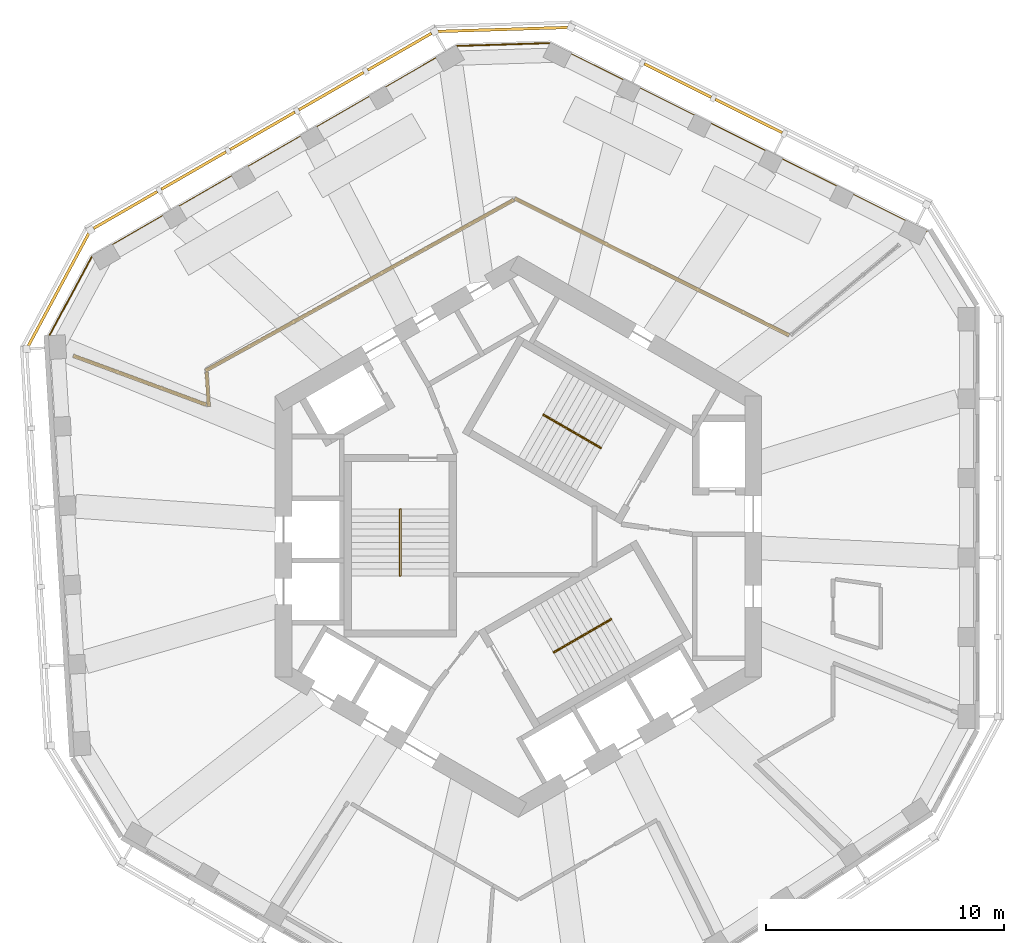
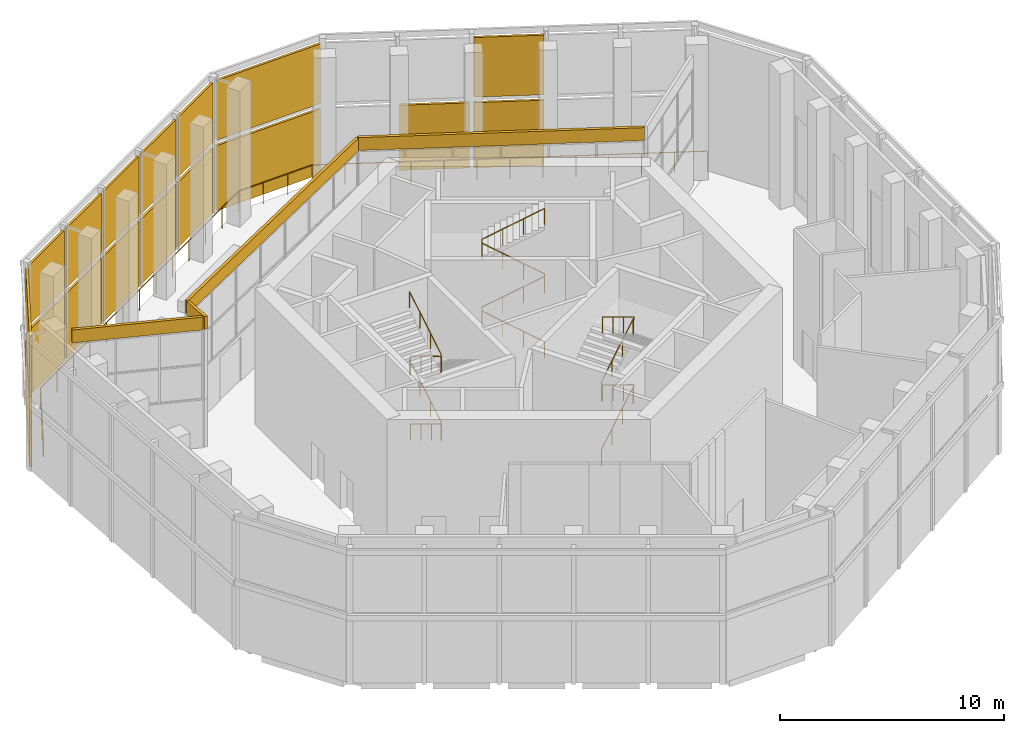
# One storey, part 14 of 16: 17 shading devices, 4 coverings, 4 railings.
"""IFC4 building model written with IfcOpenShell, lengths in metres."""

from ifc_helpers import new_model, si_unit, direction, frame, origin, origin_2d, place, context, subcontext, project, spatial, rectangle, circle, extrude, material, layer, layer_set, type_object, element, save


model = new_model("IFC4")

# Units and contexts
model_context = context("Model", 3, precision=1e-05, world=origin(), true_north=direction((0.0, 1.0)))
body_context = subcontext(model_context, "Body", "Model", "MODEL_VIEW")
ifc_project = project(units=[si_unit("LENGTHUNIT", "METRE"), si_unit("AREAUNIT", "SQUARE_METRE"), si_unit("VOLUMEUNIT", "CUBIC_METRE"), si_unit("PLANEANGLEUNIT", "RADIAN"), si_unit("MASSUNIT", "GRAM", prefix="KILO")], contexts=[model_context])

# Site, building, storey
site_placement = place(None, origin())
site = spatial("IfcSite", under=ifc_project, at=site_placement, CompositionType="ELEMENT")
building_placement = place(site_placement, origin())
building = spatial("IfcBuilding", under=site, at=building_placement, Name="Vanh Sen Convention Tower", CompositionType="ELEMENT")
storey_placement = place(building_placement, frame((0.0, 0.0, 278.300048828125)))
storey = spatial("IfcBuildingStorey", under=building, at=storey_placement, Name="L69", CompositionType="ELEMENT", Elevation=278.300048828125)

# Railings
ifc_material_1 = material(Name="Stainless steel posts with toughened glass infill", Category="steel")
railing_type_1 = type_object("IfcRailingType", Name="Garden guard 1150", PredefinedType="GUARDRAIL", material=ifc_material_1)
railing_1_placement = place(storey_placement, frame((17.123779296875, 12.8046875, 0.0)))
element("IfcRailing", 1, at=railing_1_placement, inside=storey, type_object=railing_type_1, Name="Sky garden guard 1 L69", PredefinedType="GUARDRAIL", context=body_context, shape_type="SweptSolid", body=[
    extrude(circle(Radius=0.02392578125, at=origin_2d()), frame((0.0, 0.0, 1.1259765625), z_axis=(-0.894931942671, 0.446202664701, 0.0), x_axis=(-0.446202664701, -0.894931942671, 0.0)), (0.0, 0.0, 1.0), 17.682861328125),
    extrude(circle(Radius=0.02392578125, at=origin_2d()), frame((-15.824951171875, 7.89013671875, 1.1259765625), z_axis=(-0.999533371563, -0.030545689242, 0.0), x_axis=(0.030545689242, -0.999533371563, 0.0)), (0.0, 0.0, 1.0), 3.8603515625),
    extrude(circle(Radius=0.02392578125, at=origin_2d()), frame((-19.68359375, 7.772216796875, 1.1259765625), z_axis=(-0.866027367995, -0.499996597872, 0.0), x_axis=(0.499996597872, -0.866027367995, 0.0)), (0.0, 0.0, 1.0), 17.70458984375),
    extrude(circle(Radius=0.02392578125, at=origin_2d()), frame((-35.016357421875, -1.080078125, 1.1259765625), z_axis=(-0.473336132366, -0.880881890946, 0.0), x_axis=(0.880881890946, -0.473336132366, 0.0)), (0.0, 0.0, 1.0), 3.71826171875),
    extrude(circle(Radius=0.02392578125, at=origin_2d()), frame((-36.7763671875, -4.35546875, 1.1259765625), z_axis=(0.066519010524, -0.997785157857, 0.0), x_axis=(0.997785157857, 0.066519010524, 0.0)), (0.0, 0.0, 1.0), 0.02197265625),
    extrude(circle(Radius=0.02099609375, at=origin_2d()), origin(), (0.0, 0.0, 1.0), 1.101806640625),
    extrude(circle(Radius=0.02099609375, at=origin_2d()), frame((-1.31884765625, 0.657470703125, 0.0)), (0.0, 0.0, 1.0), 1.101806640625),
    extrude(circle(Radius=0.02099609375, at=origin_2d()), frame((-2.637451171875, 1.31494140625, 0.0)), (0.0, 0.0, 1.0), 1.101806640625),
    extrude(circle(Radius=0.02099609375, at=origin_2d()), frame((-3.956298828125, 1.97265625, 0.0)), (0.0, 0.0, 1.0), 1.101806640625),
    extrude(circle(Radius=0.02099609375, at=origin_2d()), frame((-5.27490234375, 2.630126953125, 0.0)), (0.0, 0.0, 1.0), 1.101806640625),
    extrude(circle(Radius=0.02099609375, at=origin_2d()), frame((-6.59375, 3.28759765625, 0.0)), (0.0, 0.0, 1.0), 1.101806640625),
    extrude(circle(Radius=0.02099609375, at=origin_2d()), frame((-7.91259765625, 3.945068359375, 0.0)), (0.0, 0.0, 1.0), 1.101806640625),
    extrude(circle(Radius=0.02099609375, at=origin_2d()), frame((-9.231201171875, 4.6025390625, 0.0)), (0.0, 0.0, 1.0), 1.101806640625),
    extrude(circle(Radius=0.02099609375, at=origin_2d()), frame((-10.550048828125, 5.260009765625, 0.0)), (0.0, 0.0, 1.0), 1.101806640625),
    extrude(circle(Radius=0.02099609375, at=origin_2d()), frame((-11.86865234375, 5.91748046875, 0.0)), (0.0, 0.0, 1.0), 1.101806640625),
    extrude(circle(Radius=0.02099609375, at=origin_2d()), frame((-13.1875, 6.5751953125, 0.0)), (0.0, 0.0, 1.0), 1.101806640625),
    extrude(circle(Radius=0.02099609375, at=origin_2d()), frame((-14.506103515625, 7.232666015625, 0.0)), (0.0, 0.0, 1.0), 1.101806640625),
    extrude(circle(Radius=0.02099609375, at=origin_2d()), frame((-15.824951171875, 7.89013671875, 0.0)), (0.0, 0.0, 1.0), 1.101806640625),
    extrude(circle(Radius=0.02099609375, at=origin_2d()), frame((-17.111083984375, 7.850830078125, 0.0)), (0.0, 0.0, 1.0), 1.101806640625),
    extrude(circle(Radius=0.02099609375, at=origin_2d()), frame((-18.3974609375, 7.8115234375, 0.0)), (0.0, 0.0, 1.0), 1.101806640625),
    extrude(circle(Radius=0.02099609375, at=origin_2d()), frame((-19.68359375, 7.772216796875, 0.0)), (0.0, 0.0, 1.0), 1.101806640625),
    extrude(circle(Radius=0.02099609375, at=origin_2d()), frame((-20.96142578125, 7.034423828125, 0.0)), (0.0, 0.0, 1.0), 1.101806640625),
    extrude(circle(Radius=0.02099609375, at=origin_2d()), frame((-22.239013671875, 6.296875, 0.0)), (0.0, 0.0, 1.0), 1.101806640625),
    extrude(circle(Radius=0.02099609375, at=origin_2d()), frame((-23.516845703125, 5.55908203125, 0.0)), (0.0, 0.0, 1.0), 1.101806640625),
    extrude(circle(Radius=0.02099609375, at=origin_2d()), frame((-24.79443359375, 4.821533203125, 0.0)), (0.0, 0.0, 1.0), 1.101806640625),
    extrude(circle(Radius=0.02099609375, at=origin_2d()), frame((-26.072265625, 4.083740234375, 0.0)), (0.0, 0.0, 1.0), 1.101806640625),
    extrude(circle(Radius=0.02099609375, at=origin_2d()), frame((-27.35009765625, 3.34619140625, 0.0)), (0.0, 0.0, 1.0), 1.101806640625),
    extrude(circle(Radius=0.02099609375, at=origin_2d()), frame((-28.627685546875, 2.6083984375, 0.0)), (0.0, 0.0, 1.0), 1.101806640625),
    extrude(circle(Radius=0.02099609375, at=origin_2d()), frame((-29.905517578125, 1.87060546875, 0.0)), (0.0, 0.0, 1.0), 1.101806640625),
    extrude(circle(Radius=0.02099609375, at=origin_2d()), frame((-31.18310546875, 1.133056640625, 0.0)), (0.0, 0.0, 1.0), 1.101806640625),
    extrude(circle(Radius=0.02099609375, at=origin_2d()), frame((-32.4609375, 0.395263671875, 0.0)), (0.0, 0.0, 1.0), 1.101806640625),
    extrude(circle(Radius=0.02099609375, at=origin_2d()), frame((-33.738525390625, -0.34228515625, 0.0)), (0.0, 0.0, 1.0), 1.101806640625),
    extrude(circle(Radius=0.02099609375, at=origin_2d()), frame((-35.016357421875, -1.080078125, 0.0)), (0.0, 0.0, 1.0), 1.101806640625),
    extrude(circle(Radius=0.02099609375, at=origin_2d()), frame((-35.60302734375, -2.171875, 0.0)), (0.0, 0.0, 1.0), 1.101806640625),
    extrude(circle(Radius=0.02099609375, at=origin_2d()), frame((-36.189697265625, -3.263671875, 0.0)), (0.0, 0.0, 1.0), 1.101806640625),
    extrude(circle(Radius=0.02099609375, at=origin_2d()), frame((-36.7763671875, -4.35546875, 0.0)), (0.0, 0.0, 1.0), 1.101806640625),
    extrude(circle(Radius=0.02099609375, at=origin_2d()), frame((-36.77490234375, -4.37744140625, 0.0)), (0.0, 0.0, 1.0), 1.101806640625),
])
ifc_material_2 = material(Name="Stainless steel handrail", Category="steel")
railing_type_2 = type_object("IfcRailingType", Name="Stair handrail 900", PredefinedType="HANDRAIL", material=ifc_material_2)
railing_2_placement = place(storey_placement, frame((3.45849609375, 3.690185546875, 0.168212890625)))
element("IfcRailing", 2, at=railing_2_placement, inside=storey, type_object=railing_type_2, Name="Stair handrail ST1 L69", PredefinedType="HANDRAIL", context=body_context, shape_type="SweptSolid", body=[
    extrude(circle(Radius=0.02392578125, at=origin_2d()), frame((0.0, 0.0, 0.8759765625), z_axis=(-0.74241905619, 0.428617687091, 0.514879426), x_axis=(-0.49998411664, -0.866034573852, 0.0)), (0.0, 0.0, 1.0), 3.26611328125),
    extrude(circle(Radius=0.02392578125, at=origin_2d()), frame((-2.4248046875, 1.39990234375, 2.5576171875), z_axis=(0.497188445666, 0.867642581652, 0.0), x_axis=(-0.867642581652, 0.497188445666, 0.0)), (0.0, 0.0, 1.0), 0.050048828125),
    extrude(circle(Radius=0.02392578125, at=origin_2d()), frame((-2.39990234375, 1.443359375, 2.5576171875), z_axis=(0.0, 0.0, 1.0), x_axis=(1.0, 0.0, 0.0)), (0.0, 0.0, 1.0), 0.168212890625),
    extrude(circle(Radius=0.02392578125, at=origin_2d()), frame((-2.39990234375, 1.443359375, 2.7255859375), z_axis=(0.742366697286, -0.42866220388, 0.514917859203), x_axis=(0.500049511043, 0.865996816683, 0.0)), (0.0, 0.0, 1.0), 3.266357421875),
    extrude(circle(Radius=0.02392578125, at=origin_2d()), frame((0.02490234375, 0.043212890625, 4.40771484375), z_axis=(-0.499298623879, -0.866429964967, 0.0), x_axis=(0.866429964967, -0.499298623879, 0.0)), (0.0, 0.0, 1.0), 0.0498046875),
    extrude(circle(Radius=0.02392578125, at=origin_2d()), frame((0.0, 0.0, 4.40771484375), z_axis=(0.0, 0.0, 1.0), x_axis=(1.0, 0.0, 0.0)), (0.0, 0.0, 1.0), 0.168212890625),
    extrude(circle(Radius=0.02392578125, at=origin_2d()), frame((0.0, 0.0, 4.57568359375), z_axis=(-0.742390482028, 0.42860119049, 0.514934356695), x_axis=(-0.49998411664, -0.866034573852, 0.0)), (0.0, 0.0, 1.0), 3.26611328125),
    extrude(circle(Radius=0.02392578125, at=origin_2d()), frame((-2.4248046875, 1.39990234375, 6.2578125), z_axis=(0.497188445666, 0.867642581652, 0.0), x_axis=(-0.867642581652, 0.497188445666, 0.0)), (0.0, 0.0, 1.0), 0.050048828125),
    extrude(circle(Radius=0.02392578125, at=origin_2d()), frame((-2.39990234375, 1.443359375, 6.2578125), z_axis=(0.0, 0.0, 1.0), x_axis=(1.0, 0.0, 0.0)), (0.0, 0.0, 1.0), 0.168212890625),
    extrude(circle(Radius=0.02392578125, at=origin_2d()), frame((-2.39990234375, 1.443359375, 6.42578125), z_axis=(0.742395268701, -0.428678701772, 0.514862928999), x_axis=(0.500049511043, 0.865996816683, 0.0)), (0.0, 0.0, 1.0), 3.26611328125),
    extrude(circle(Radius=0.02099609375, at=origin_2d()), origin(), (0.0, 0.0, 1.0), 0.851806640625),
    extrude(circle(Radius=0.02099609375, at=origin_2d()), frame((-0.808349609375, 0.466552734375, 0.560546875)), (0.0, 0.0, 1.0), 0.851806640625),
    extrude(circle(Radius=0.02099609375, at=origin_2d()), frame((-1.616455078125, 0.933349609375, 1.12109375)), (0.0, 0.0, 1.0), 0.851806640625),
    extrude(circle(Radius=0.02099609375, at=origin_2d()), frame((-2.4248046875, 1.39990234375, 1.681640625)), (0.0, 0.0, 1.0), 0.851806640625),
    extrude(circle(Radius=0.02099609375, at=origin_2d()), frame((-2.39990234375, 1.443359375, 1.681640625)), (0.0, 0.0, 1.0), 0.851806640625),
    extrude(circle(Radius=0.02099609375, at=origin_2d()), frame((-2.39990234375, 1.443359375, 1.849853515625)), (0.0, 0.0, 1.0), 0.851806640625),
    extrude(circle(Radius=0.02099609375, at=origin_2d()), frame((-1.591552734375, 0.9765625, 2.410400390625)), (0.0, 0.0, 1.0), 0.851806640625),
    extrude(circle(Radius=0.02099609375, at=origin_2d()), frame((-0.783447265625, 0.510009765625, 2.97119140625)), (0.0, 0.0, 1.0), 0.851806640625),
    extrude(circle(Radius=0.02099609375, at=origin_2d()), frame((0.02490234375, 0.043212890625, 3.53173828125)), (0.0, 0.0, 1.0), 0.851806640625),
    extrude(circle(Radius=0.02099609375, at=origin_2d()), frame((0.0, 0.0, 3.53173828125)), (0.0, 0.0, 1.0), 0.851806640625),
    extrude(circle(Radius=0.02099609375, at=origin_2d()), frame((0.0, 0.0, 3.699951171875)), (0.0, 0.0, 1.0), 0.851806640625),
    extrude(circle(Radius=0.02099609375, at=origin_2d()), frame((-0.808349609375, 0.466552734375, 4.260498046875)), (0.0, 0.0, 1.0), 0.851806640625),
    extrude(circle(Radius=0.02099609375, at=origin_2d()), frame((-1.616455078125, 0.933349609375, 4.8212890625)), (0.0, 0.0, 1.0), 0.851806640625),
    extrude(circle(Radius=0.02099609375, at=origin_2d()), frame((-2.4248046875, 1.39990234375, 5.3818359375)), (0.0, 0.0, 1.0), 0.851806640625),
    extrude(circle(Radius=0.02099609375, at=origin_2d()), frame((-2.39990234375, 1.443359375, 5.3818359375)), (0.0, 0.0, 1.0), 0.851806640625),
    extrude(circle(Radius=0.02099609375, at=origin_2d()), frame((-2.39990234375, 1.443359375, 5.550048828125)), (0.0, 0.0, 1.0), 0.851806640625),
    extrude(circle(Radius=0.02099609375, at=origin_2d()), frame((-1.591552734375, 0.9765625, 6.110595703125)), (0.0, 0.0, 1.0), 0.851806640625),
    extrude(circle(Radius=0.02099609375, at=origin_2d()), frame((-0.783447265625, 0.510009765625, 6.671142578125)), (0.0, 0.0, 1.0), 0.851806640625),
    extrude(circle(Radius=0.02099609375, at=origin_2d()), frame((0.02490234375, 0.043212890625, 7.231689453125)), (0.0, 0.0, 1.0), 0.851806640625),
])
railing_3_placement = place(storey_placement, frame((-4.925048828125, 1.14990234375, 0.168212890625)))
element("IfcRailing", 3, at=railing_3_placement, inside=storey, type_object=railing_type_2, Name="Stair handrail ST2 L69", PredefinedType="HANDRAIL", context=body_context, shape_type="SweptSolid", body=[
    extrude(circle(Radius=0.02392578125, at=origin_2d()), frame((0.0, 0.0, 0.8759765625), z_axis=(0.0, -0.857255387014, 0.514891446264), x_axis=(1.0, 0.0, 0.0)), (0.0, 0.0, 1.0), 3.26611328125),
    extrude(circle(Radius=0.02392578125, at=origin_2d()), frame((0.0, -2.7998046875, 2.5576171875), z_axis=(-1.0, 0.0, 0.0), x_axis=(0.0, -1.0, 0.0)), (0.0, 0.0, 1.0), 0.050048828125),
    extrude(circle(Radius=0.02392578125, at=origin_2d()), frame((-0.050048828125, -2.7998046875, 2.5576171875), z_axis=(0.0, 0.0, 1.0), x_axis=(1.0, 0.0, 0.0)), (0.0, 0.0, 1.0), 0.168212890625),
    extrude(circle(Radius=0.02392578125, at=origin_2d()), frame((-0.050048828125, -2.7998046875, 2.7255859375), z_axis=(0.0, 0.857222391501, 0.514946377315), x_axis=(-1.0, 0.0, 0.0)), (0.0, 0.0, 1.0), 3.26611328125),
    extrude(circle(Radius=0.02392578125, at=origin_2d()), frame((-0.050048828125, 0.0, 4.40771484375), z_axis=(1.0, 0.0, 0.0), x_axis=(0.0, 1.0, 0.0)), (0.0, 0.0, 1.0), 0.050048828125),
    extrude(circle(Radius=0.02392578125, at=origin_2d()), frame((0.0, 0.0, 4.40771484375), z_axis=(0.0, 0.0, 1.0), x_axis=(1.0, 0.0, 0.0)), (0.0, 0.0, 1.0), 0.168212890625),
    extrude(circle(Radius=0.02392578125, at=origin_2d()), frame((0.0, 0.0, 4.57568359375), z_axis=(0.0, -0.857222391501, 0.514946377315), x_axis=(1.0, 0.0, 0.0)), (0.0, 0.0, 1.0), 3.26611328125),
    extrude(circle(Radius=0.02392578125, at=origin_2d()), frame((0.0, -2.7998046875, 6.2578125), z_axis=(-1.0, 0.0, 0.0), x_axis=(0.0, -1.0, 0.0)), (0.0, 0.0, 1.0), 0.050048828125),
    extrude(circle(Radius=0.02392578125, at=origin_2d()), frame((-0.050048828125, -2.7998046875, 6.2578125), z_axis=(0.0, 0.0, 1.0), x_axis=(1.0, 0.0, 0.0)), (0.0, 0.0, 1.0), 0.168212890625),
    extrude(circle(Radius=0.02392578125, at=origin_2d()), frame((-0.050048828125, -2.7998046875, 6.42578125), z_axis=(0.0, 0.857255387014, 0.514891446264), x_axis=(-1.0, 0.0, 0.0)), (0.0, 0.0, 1.0), 3.26611328125),
    extrude(circle(Radius=0.02099609375, at=origin_2d()), origin(), (0.0, 0.0, 1.0), 0.851806640625),
    extrude(circle(Radius=0.02099609375, at=origin_2d()), frame((0.0, -0.933349609375, 0.560546875)), (0.0, 0.0, 1.0), 0.851806640625),
    extrude(circle(Radius=0.02099609375, at=origin_2d()), frame((0.0, -1.866455078125, 1.12109375)), (0.0, 0.0, 1.0), 0.851806640625),
    extrude(circle(Radius=0.02099609375, at=origin_2d()), frame((0.0, -2.7998046875, 1.681640625)), (0.0, 0.0, 1.0), 0.851806640625),
    extrude(circle(Radius=0.02099609375, at=origin_2d()), frame((-0.050048828125, -2.7998046875, 1.681640625)), (0.0, 0.0, 1.0), 0.851806640625),
    extrude(circle(Radius=0.02099609375, at=origin_2d()), frame((-0.050048828125, -2.7998046875, 1.849853515625)), (0.0, 0.0, 1.0), 0.851806640625),
    extrude(circle(Radius=0.02099609375, at=origin_2d()), frame((-0.050048828125, -1.866455078125, 2.410400390625)), (0.0, 0.0, 1.0), 0.851806640625),
    extrude(circle(Radius=0.02099609375, at=origin_2d()), frame((-0.050048828125, -0.933349609375, 2.97119140625)), (0.0, 0.0, 1.0), 0.851806640625),
    extrude(circle(Radius=0.02099609375, at=origin_2d()), frame((-0.050048828125, 0.0, 3.53173828125)), (0.0, 0.0, 1.0), 0.851806640625),
    extrude(circle(Radius=0.02099609375, at=origin_2d()), frame((0.0, 0.0, 3.53173828125)), (0.0, 0.0, 1.0), 0.851806640625),
    extrude(circle(Radius=0.02099609375, at=origin_2d()), frame((0.0, 0.0, 3.699951171875)), (0.0, 0.0, 1.0), 0.851806640625),
    extrude(circle(Radius=0.02099609375, at=origin_2d()), frame((0.0, -0.933349609375, 4.260498046875)), (0.0, 0.0, 1.0), 0.851806640625),
    extrude(circle(Radius=0.02099609375, at=origin_2d()), frame((0.0, -1.866455078125, 4.8212890625)), (0.0, 0.0, 1.0), 0.851806640625),
    extrude(circle(Radius=0.02099609375, at=origin_2d()), frame((0.0, -2.7998046875, 5.3818359375)), (0.0, 0.0, 1.0), 0.851806640625),
    extrude(circle(Radius=0.02099609375, at=origin_2d()), frame((-0.050048828125, -2.7998046875, 5.3818359375)), (0.0, 0.0, 1.0), 0.851806640625),
    extrude(circle(Radius=0.02099609375, at=origin_2d()), frame((-0.050048828125, -2.7998046875, 5.550048828125)), (0.0, 0.0, 1.0), 0.851806640625),
    extrude(circle(Radius=0.02099609375, at=origin_2d()), frame((-0.050048828125, -1.866455078125, 6.110595703125)), (0.0, 0.0, 1.0), 0.851806640625),
    extrude(circle(Radius=0.02099609375, at=origin_2d()), frame((-0.050048828125, -0.933349609375, 6.671142578125)), (0.0, 0.0, 1.0), 0.851806640625),
    extrude(circle(Radius=0.02099609375, at=origin_2d()), frame((-0.050048828125, 0.0, 7.231689453125)), (0.0, 0.0, 1.0), 0.851806640625),
])
railing_4_placement = place(storey_placement, frame((1.466552734375, -4.840087890625, 0.168212890625)))
element("IfcRailing", 4, at=railing_4_placement, inside=storey, type_object=railing_type_2, Name="Stair handrail ST3 L69", PredefinedType="HANDRAIL", context=body_context, shape_type="SweptSolid", body=[
    extrude(circle(Radius=0.02392578125, at=origin_2d()), frame((0.0, 0.0, 0.8759765625), z_axis=(0.74241905619, 0.428617687091, 0.514879426), x_axis=(-0.49998411664, 0.866034573852, 0.0)), (0.0, 0.0, 1.0), 3.26611328125),
    extrude(circle(Radius=0.02392578125, at=origin_2d()), frame((2.4248046875, 1.39990234375, 2.5576171875), z_axis=(0.502959906984, -0.86430974307, 0.0), x_axis=(0.86430974307, 0.502959906984, 0.0)), (0.0, 0.0, 1.0), 0.050048828125),
    extrude(circle(Radius=0.02392578125, at=origin_2d()), frame((2.449951171875, 1.356689453125, 2.5576171875), z_axis=(0.0, 0.0, 1.0), x_axis=(1.0, 0.0, 0.0)), (0.0, 0.0, 1.0), 0.168212890625),
    extrude(circle(Radius=0.02392578125, at=origin_2d()), frame((2.449951171875, 1.356689453125, 2.7255859375), z_axis=(-0.742366697286, -0.42866220388, 0.514917859203), x_axis=(0.500049511043, -0.865996816683, 0.0)), (0.0, 0.0, 1.0), 3.266357421875),
    extrude(circle(Radius=0.02392578125, at=origin_2d()), frame((0.025146484375, -0.04345703125, 4.40771484375), z_axis=(-0.500844580232, 0.86553723574, 0.0), x_axis=(-0.86553723574, -0.500844580232, 0.0)), (0.0, 0.0, 1.0), 0.05029296875),
    extrude(circle(Radius=0.02392578125, at=origin_2d()), frame((0.0, 0.0, 4.40771484375), z_axis=(0.0, 0.0, 1.0), x_axis=(1.0, 0.0, 0.0)), (0.0, 0.0, 1.0), 0.168212890625),
    extrude(circle(Radius=0.02392578125, at=origin_2d()), frame((0.0, 0.0, 4.57568359375), z_axis=(0.742390482028, 0.42860119049, 0.514934356695), x_axis=(-0.49998411664, 0.866034573852, 0.0)), (0.0, 0.0, 1.0), 3.26611328125),
    extrude(circle(Radius=0.02392578125, at=origin_2d()), frame((2.4248046875, 1.39990234375, 6.2578125), z_axis=(0.502959906984, -0.86430974307, 0.0), x_axis=(0.86430974307, 0.502959906984, 0.0)), (0.0, 0.0, 1.0), 0.050048828125),
    extrude(circle(Radius=0.02392578125, at=origin_2d()), frame((2.449951171875, 1.356689453125, 6.2578125), z_axis=(0.0, 0.0, 1.0), x_axis=(1.0, 0.0, 0.0)), (0.0, 0.0, 1.0), 0.168212890625),
    extrude(circle(Radius=0.02392578125, at=origin_2d()), frame((2.449951171875, 1.356689453125, 6.42578125), z_axis=(-0.742395268701, -0.428678701772, 0.514862928999), x_axis=(0.500049511043, -0.865996816683, 0.0)), (0.0, 0.0, 1.0), 3.26611328125),
    extrude(circle(Radius=0.02099609375, at=origin_2d()), origin(), (0.0, 0.0, 1.0), 0.851806640625),
    extrude(circle(Radius=0.02099609375, at=origin_2d()), frame((0.808349609375, 0.466552734375, 0.560546875)), (0.0, 0.0, 1.0), 0.851806640625),
    extrude(circle(Radius=0.02099609375, at=origin_2d()), frame((1.616455078125, 0.933349609375, 1.12109375)), (0.0, 0.0, 1.0), 0.851806640625),
    extrude(circle(Radius=0.02099609375, at=origin_2d()), frame((2.4248046875, 1.39990234375, 1.681640625)), (0.0, 0.0, 1.0), 0.851806640625),
    extrude(circle(Radius=0.02099609375, at=origin_2d()), frame((2.449951171875, 1.356689453125, 1.681640625)), (0.0, 0.0, 1.0), 0.851806640625),
    extrude(circle(Radius=0.02099609375, at=origin_2d()), frame((2.449951171875, 1.356689453125, 1.849853515625)), (0.0, 0.0, 1.0), 0.851806640625),
    extrude(circle(Radius=0.02099609375, at=origin_2d()), frame((1.6416015625, 0.889892578125, 2.410400390625)), (0.0, 0.0, 1.0), 0.851806640625),
    extrude(circle(Radius=0.02099609375, at=origin_2d()), frame((0.83349609375, 0.42333984375, 2.97119140625)), (0.0, 0.0, 1.0), 0.851806640625),
    extrude(circle(Radius=0.02099609375, at=origin_2d()), frame((0.025146484375, -0.04345703125, 3.53173828125)), (0.0, 0.0, 1.0), 0.851806640625),
    extrude(circle(Radius=0.02099609375, at=origin_2d()), frame((0.0, 0.0, 3.53173828125)), (0.0, 0.0, 1.0), 0.851806640625),
    extrude(circle(Radius=0.02099609375, at=origin_2d()), frame((0.0, 0.0, 3.699951171875)), (0.0, 0.0, 1.0), 0.851806640625),
    extrude(circle(Radius=0.02099609375, at=origin_2d()), frame((0.808349609375, 0.466552734375, 4.260498046875)), (0.0, 0.0, 1.0), 0.851806640625),
    extrude(circle(Radius=0.02099609375, at=origin_2d()), frame((1.616455078125, 0.933349609375, 4.8212890625)), (0.0, 0.0, 1.0), 0.851806640625),
    extrude(circle(Radius=0.02099609375, at=origin_2d()), frame((2.4248046875, 1.39990234375, 5.3818359375)), (0.0, 0.0, 1.0), 0.851806640625),
    extrude(circle(Radius=0.02099609375, at=origin_2d()), frame((2.449951171875, 1.356689453125, 5.3818359375)), (0.0, 0.0, 1.0), 0.851806640625),
    extrude(circle(Radius=0.02099609375, at=origin_2d()), frame((2.449951171875, 1.356689453125, 5.550048828125)), (0.0, 0.0, 1.0), 0.851806640625),
    extrude(circle(Radius=0.02099609375, at=origin_2d()), frame((1.6416015625, 0.889892578125, 6.110595703125)), (0.0, 0.0, 1.0), 0.851806640625),
    extrude(circle(Radius=0.02099609375, at=origin_2d()), frame((0.83349609375, 0.42333984375, 6.671142578125)), (0.0, 0.0, 1.0), 0.851806640625),
    extrude(circle(Radius=0.02099609375, at=origin_2d()), frame((0.025146484375, -0.04345703125, 7.231689453125)), (0.0, 0.0, 1.0), 0.851806640625),
])

# Shading devices
ifc_material_3 = material(Name="Concrete C50/60", Category="concrete")
ifc_layer_1 = layer(ifc_material_3, 0.1201171875)
ifc_layer_set_1 = layer_set([ifc_layer_1], Name="Concrete C50/60")
shading_device_type = type_object("IfcShadingDeviceType", Name="Sun-screen louvre 120", PredefinedType="USERDEFINED", material=ifc_layer_set_1)
shading_device_1_placement = place(storey_placement, frame((9.668701171875, 17.63916015625, 0.0), z_axis=(0.0, 0.0, 1.0), x_axis=(-0.894931246532, 0.446204060919, 0.0)))
element("IfcShadingDevice", 5, at=shading_device_1_placement, inside=storey, type_object=shading_device_type, Name="OUTER SKIN sun-screen louvre NE-3", ObjectType="LOUVRE", PredefinedType="USERDEFINED", context=body_context, shape_type="SweptSolid", body=[
    extrude(rectangle(XDim=3.131591796875, YDim=0.1201171875, at=origin_2d()), origin(), (0.0, 0.0, 1.0), 3.550048828125),
])
shading_device_2_placement = place(storey_placement, frame((9.668701171875, 17.63916015625, 3.849853515625), z_axis=(0.0, 0.0, 1.0), x_axis=(-0.894931246532, 0.446204060919, 0.0)))
element("IfcShadingDevice", 6, at=shading_device_2_placement, inside=storey, type_object=shading_device_type, Name="OUTER SKIN sun-screen louvre NE-3", ObjectType="LOUVRE", PredefinedType="USERDEFINED", context=body_context, shape_type="SweptSolid", body=[
    extrude(rectangle(XDim=3.131591796875, YDim=0.1201171875, at=origin_2d()), origin(), (0.0, 0.0, 1.0), 3.25),
])
shading_device_3_placement = place(storey_placement, frame((6.687255859375, 19.125732421875, 0.0), z_axis=(0.0, 0.0, 1.0), x_axis=(-0.89494292782, 0.446180631521, 0.0)))
element("IfcShadingDevice", 7, at=shading_device_3_placement, inside=storey, type_object=shading_device_type, Name="OUTER SKIN sun-screen louvre NE-4", ObjectType="LOUVRE", PredefinedType="USERDEFINED", context=body_context, shape_type="SweptSolid", body=[
    extrude(rectangle(XDim=3.131591796875, YDim=0.1201171875, at=origin_2d()), origin(), (0.0, 0.0, 1.0), 3.550048828125),
])
shading_device_4_placement = place(storey_placement, frame((-0.64990234375, 21.26806640625, 0.0), z_axis=(0.0, 0.0, 1.0), x_axis=(-0.99953391058, -0.030528046117, 0.0)))
element("IfcShadingDevice", 8, at=shading_device_4_placement, inside=storey, type_object=shading_device_type, Name="OUTER SKIN sun-screen louvre CH2-1", ObjectType="LOUVRE", PredefinedType="USERDEFINED", context=body_context, shape_type="SweptSolid", body=[
    extrude(rectangle(XDim=5.431640625, YDim=0.1201171875, at=origin_2d()), origin(), (0.0, 0.0, 1.0), 3.550048828125),
])
shading_device_5_placement = place(storey_placement, frame((-0.64990234375, 21.26806640625, 3.849853515625), z_axis=(0.0, 0.0, 1.0), x_axis=(-0.99953391058, -0.030528046117, 0.0)))
element("IfcShadingDevice", 9, at=shading_device_5_placement, inside=storey, type_object=shading_device_type, Name="OUTER SKIN sun-screen louvre CH2-1", ObjectType="LOUVRE", PredefinedType="USERDEFINED", context=body_context, shape_type="SweptSolid", body=[
    extrude(rectangle(XDim=5.431640625, YDim=0.1201171875, at=origin_2d()), origin(), (0.0, 0.0, 1.0), 3.25),
])
shading_device_6_placement = place(storey_placement, frame((-4.978515625, 20.335205078125, 0.0), z_axis=(0.0, 0.0, 1.0), x_axis=(-0.866015804314, -0.500016626402, 0.0)))
element("IfcShadingDevice", 10, at=shading_device_6_placement, inside=storey, type_object=shading_device_type, Name="OUTER SKIN sun-screen louvre NW-1", ObjectType="LOUVRE", PredefinedType="USERDEFINED", context=body_context, shape_type="SweptSolid", body=[
    extrude(rectangle(XDim=3.081787109375, YDim=0.1201171875, at=origin_2d()), origin(), (0.0, 0.0, 1.0), 3.550048828125),
])
shading_device_7_placement = place(storey_placement, frame((-4.978515625, 20.335205078125, 3.849853515625), z_axis=(0.0, 0.0, 1.0), x_axis=(-0.866015804314, -0.500016626402, 0.0)))
element("IfcShadingDevice", 11, at=shading_device_7_placement, inside=storey, type_object=shading_device_type, Name="OUTER SKIN sun-screen louvre NW-1", ObjectType="LOUVRE", PredefinedType="USERDEFINED", context=body_context, shape_type="SweptSolid", body=[
    extrude(rectangle(XDim=3.081787109375, YDim=0.1201171875, at=origin_2d()), origin(), (0.0, 0.0, 1.0), 3.25),
])
shading_device_8_placement = place(storey_placement, frame((-7.84228515625, 18.681640625, 0.0), z_axis=(0.0, 0.0, 1.0), x_axis=(-0.866028894422, -0.49999395399, 0.0)))
element("IfcShadingDevice", 12, at=shading_device_8_placement, inside=storey, type_object=shading_device_type, Name="OUTER SKIN sun-screen louvre NW-2", ObjectType="LOUVRE", PredefinedType="USERDEFINED", context=body_context, shape_type="SweptSolid", body=[
    extrude(rectangle(XDim=3.131591796875, YDim=0.1201171875, at=origin_2d()), origin(), (0.0, 0.0, 1.0), 3.550048828125),
])
shading_device_9_placement = place(storey_placement, frame((-7.84228515625, 18.681640625, 3.849853515625), z_axis=(0.0, 0.0, 1.0), x_axis=(-0.866028894422, -0.49999395399, 0.0)))
element("IfcShadingDevice", 13, at=shading_device_9_placement, inside=storey, type_object=shading_device_type, Name="OUTER SKIN sun-screen louvre NW-2", ObjectType="LOUVRE", PredefinedType="USERDEFINED", context=body_context, shape_type="SweptSolid", body=[
    extrude(rectangle(XDim=3.131591796875, YDim=0.1201171875, at=origin_2d()), origin(), (0.0, 0.0, 1.0), 3.25),
])
shading_device_10_placement = place(storey_placement, frame((-10.7275390625, 17.015869140625, 0.0), z_axis=(0.0, 0.0, 1.0), x_axis=(-0.866028894422, -0.49999395399, 0.0)))
element("IfcShadingDevice", 14, at=shading_device_10_placement, inside=storey, type_object=shading_device_type, Name="OUTER SKIN sun-screen louvre NW-3", ObjectType="LOUVRE", PredefinedType="USERDEFINED", context=body_context, shape_type="SweptSolid", body=[
    extrude(rectangle(XDim=3.131591796875, YDim=0.1201171875, at=origin_2d()), origin(), (0.0, 0.0, 1.0), 3.550048828125),
])
shading_device_11_placement = place(storey_placement, frame((-10.7275390625, 17.015869140625, 3.849853515625), z_axis=(0.0, 0.0, 1.0), x_axis=(-0.866028894422, -0.49999395399, 0.0)))
element("IfcShadingDevice", 15, at=shading_device_11_placement, inside=storey, type_object=shading_device_type, Name="OUTER SKIN sun-screen louvre NW-3", ObjectType="LOUVRE", PredefinedType="USERDEFINED", context=body_context, shape_type="SweptSolid", body=[
    extrude(rectangle(XDim=3.131591796875, YDim=0.1201171875, at=origin_2d()), origin(), (0.0, 0.0, 1.0), 3.25),
])
shading_device_12_placement = place(storey_placement, frame((-13.61279296875, 15.35009765625, 0.0), z_axis=(0.0, 0.0, 1.0), x_axis=(-0.866015804314, -0.500016626402, 0.0)))
element("IfcShadingDevice", 16, at=shading_device_12_placement, inside=storey, type_object=shading_device_type, Name="OUTER SKIN sun-screen louvre NW-4", ObjectType="LOUVRE", PredefinedType="USERDEFINED", context=body_context, shape_type="SweptSolid", body=[
    extrude(rectangle(XDim=3.131591796875, YDim=0.1201171875, at=origin_2d()), origin(), (0.0, 0.0, 1.0), 3.550048828125),
])
shading_device_13_placement = place(storey_placement, frame((-13.61279296875, 15.35009765625, 3.849853515625), z_axis=(0.0, 0.0, 1.0), x_axis=(-0.866015804314, -0.500016626402, 0.0)))
element("IfcShadingDevice", 17, at=shading_device_13_placement, inside=storey, type_object=shading_device_type, Name="OUTER SKIN sun-screen louvre NW-4", ObjectType="LOUVRE", PredefinedType="USERDEFINED", context=body_context, shape_type="SweptSolid", body=[
    extrude(rectangle(XDim=3.131591796875, YDim=0.1201171875, at=origin_2d()), origin(), (0.0, 0.0, 1.0), 3.25),
])
shading_device_14_placement = place(storey_placement, frame((-16.4765625, 13.69677734375, 0.0), z_axis=(0.0, 0.0, 1.0), x_axis=(-0.866028894422, -0.49999395399, 0.0)))
element("IfcShadingDevice", 18, at=shading_device_14_placement, inside=storey, type_object=shading_device_type, Name="OUTER SKIN sun-screen louvre NW-5", ObjectType="LOUVRE", PredefinedType="USERDEFINED", context=body_context, shape_type="SweptSolid", body=[
    extrude(rectangle(XDim=3.08154296875, YDim=0.1201171875, at=origin_2d()), origin(), (0.0, 0.0, 1.0), 3.550048828125),
])
shading_device_15_placement = place(storey_placement, frame((-16.4765625, 13.69677734375, 3.849853515625), z_axis=(0.0, 0.0, 1.0), x_axis=(-0.866028894422, -0.49999395399, 0.0)))
element("IfcShadingDevice", 19, at=shading_device_15_placement, inside=storey, type_object=shading_device_type, Name="OUTER SKIN sun-screen louvre NW-5", ObjectType="LOUVRE", PredefinedType="USERDEFINED", context=body_context, shape_type="SweptSolid", body=[
    extrude(rectangle(XDim=3.08154296875, YDim=0.1201171875, at=origin_2d()), origin(), (0.0, 0.0, 1.0), 3.25),
])
shading_device_16_placement = place(storey_placement, frame((-19.27978515625, 10.359375, 0.0), z_axis=(0.0, 0.0, 1.0), x_axis=(-0.473324279511, -0.880888259897, 0.0)))
element("IfcShadingDevice", 20, at=shading_device_16_placement, inside=storey, type_object=shading_device_type, Name="OUTER SKIN sun-screen louvre CH3-1", ObjectType="LOUVRE", PredefinedType="USERDEFINED", context=body_context, shape_type="SweptSolid", body=[
    extrude(rectangle(XDim=5.35791015625, YDim=0.1201171875, at=origin_2d()), origin(), (0.0, 0.0, 1.0), 3.550048828125),
])
shading_device_17_placement = place(storey_placement, frame((-19.27978515625, 10.359375, 3.849853515625), z_axis=(0.0, 0.0, 1.0), x_axis=(-0.473324279511, -0.880888259897, 0.0)))
element("IfcShadingDevice", 21, at=shading_device_17_placement, inside=storey, type_object=shading_device_type, Name="OUTER SKIN sun-screen louvre CH3-1", ObjectType="LOUVRE", PredefinedType="USERDEFINED", context=body_context, shape_type="SweptSolid", body=[
    extrude(rectangle(XDim=5.35791015625, YDim=0.1201171875, at=origin_2d()), origin(), (0.0, 0.0, 1.0), 3.25),
])

# Coverings
ifc_material_4 = material(Name="Insulated aluminium composite panel", Category="aluminium")
ifc_layer_2 = layer(ifc_material_4, 0.14990234375)
ifc_layer_set_2 = layer_set([ifc_layer_2], Name="Insulated aluminium composite panel")
covering_type = type_object("IfcCoveringType", Name="Winter garden head cladding 150", PredefinedType="CLADDING", material=ifc_layer_set_2)
covering_1_placement = place(storey_placement, frame((-15.87890625, 6.558349609375, 6.419921875), z_axis=(0.0, 0.0, 1.0), x_axis=(0.93849121477, -0.345303112932, 0.0)))
element("IfcCovering", 22, at=covering_1_placement, inside=storey, type_object=covering_type, Name="Winter garden head cladding 1 L69", PredefinedType="CLADDING", context=body_context, shape_type="SweptSolid", body=[
    extrude(rectangle(XDim=5.93017578125, YDim=0.14990234375, at=origin_2d()), origin(), (0.0, 0.0, 1.0), 0.699951171875),
])
covering_2_placement = place(storey_placement, frame((-13.0263671875, 6.175537109375, 6.419921875), z_axis=(0.0, 0.0, 1.0), x_axis=(-0.061048539535, 0.998134798422, 0.0)))
element("IfcCovering", 23, at=covering_2_placement, inside=storey, type_object=covering_type, Name="Winter garden head cladding 2 L69", PredefinedType="CLADDING", context=body_context, shape_type="SweptSolid", body=[
    extrude(rectangle(XDim=1.437255859375, YDim=0.14990234375, at=origin_2d()), origin(), (0.0, 0.0, 1.0), 0.699951171875),
])
covering_3_placement = place(storey_placement, frame((-6.65283203125, 10.5400390625, 6.419921875), z_axis=(0.0, 0.0, 1.0), x_axis=(0.874660319386, 0.484736346576, 0.0)))
element("IfcCovering", 24, at=covering_3_placement, inside=storey, type_object=covering_type, Name="Winter garden head cladding 3 L69", PredefinedType="CLADDING", context=body_context, shape_type="SweptSolid", body=[
    extrude(rectangle(XDim=14.781005859375, YDim=0.14990234375, at=origin_2d()), origin(), (0.0, 0.0, 1.0), 0.699951171875),
])
covering_4_placement = place(storey_placement, frame((5.60400390625, 11.31298828125, 6.419921875), z_axis=(0.0, 0.0, 1.0), x_axis=(0.894933582839, -0.446199375064, 0.0)))
element("IfcCovering", 25, at=covering_4_placement, inside=storey, type_object=covering_type, Name="Winter garden head cladding 4 L69", PredefinedType="CLADDING", context=body_context, shape_type="SweptSolid", body=[
    extrude(rectangle(XDim=12.856689453125, YDim=0.14990234375, at=origin_2d()), origin(), (0.0, 0.0, 1.0), 0.699951171875),
])

save(model, "model.ifc")
